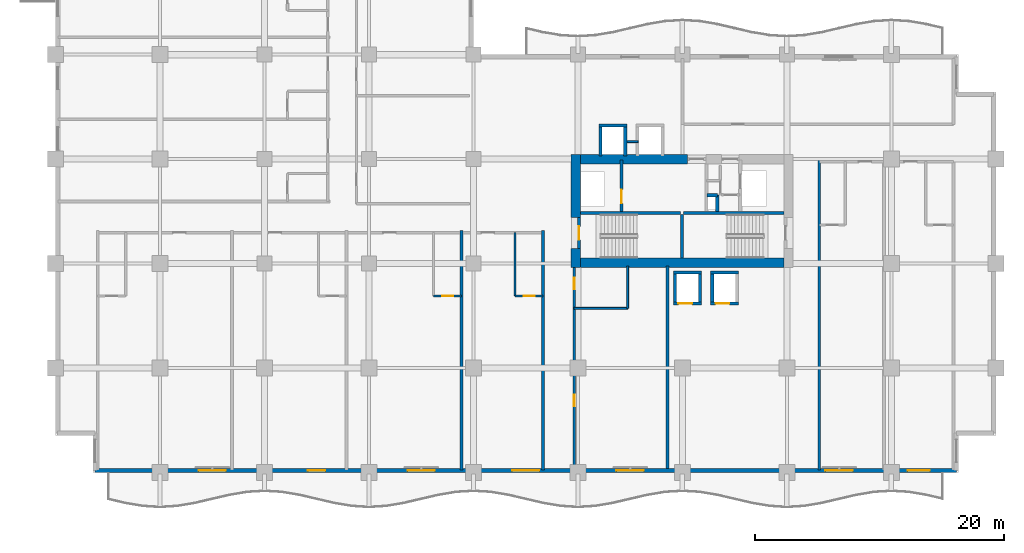
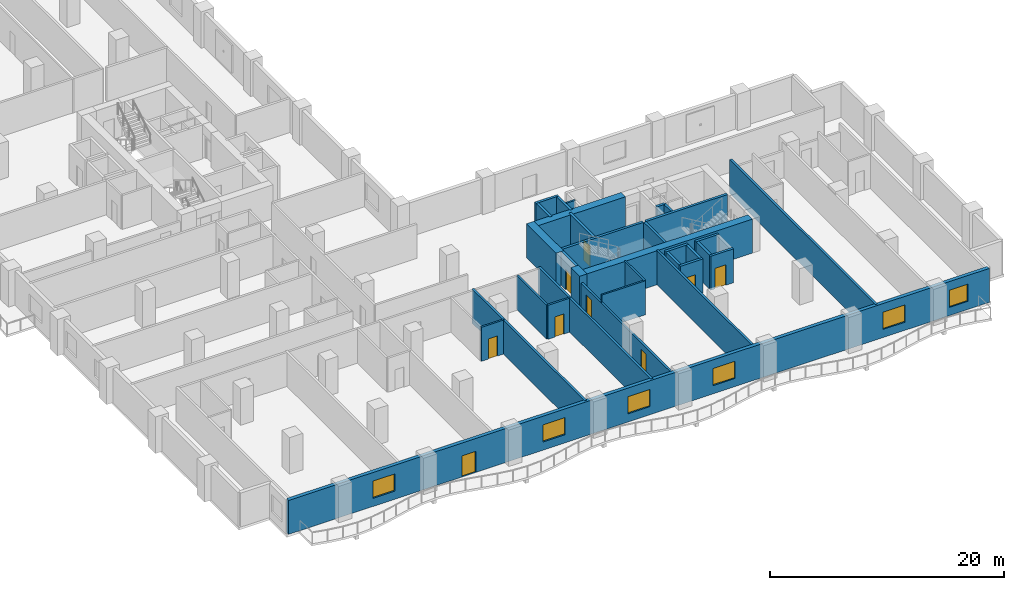
# One storey, part 8 of 21: 33 walls, 9 doors, 6 windows, 15 openings.
"""IFC4 building model written with IfcOpenShell, lengths in metres."""

from ifc_helpers import new_model, si_unit, direction, frame, frame_2d, origin, place, context, subcontext, project, spatial, rectangle, extrude, material, layer, layer_set, type_object, element, fill, save


model = new_model("IFC4")

# Units and contexts
model_context = context("Model", 3, precision=1e-05, world=origin(), true_north=direction((0.0, 1.0)))
body_context = subcontext(model_context, "Body", "Model", "MODEL_VIEW")
ifc_project = project(units=[si_unit("LENGTHUNIT", "METRE"), si_unit("AREAUNIT", "SQUARE_METRE"), si_unit("VOLUMEUNIT", "CUBIC_METRE"), si_unit("PLANEANGLEUNIT", "RADIAN"), si_unit("MASSUNIT", "GRAM", prefix="KILO")], contexts=[model_context])

# Site, building, storey
site_placement = place(None, origin())
site = spatial("IfcSite", under=ifc_project, at=site_placement, CompositionType="ELEMENT")
building_placement = place(site_placement, origin())
building = spatial("IfcBuilding", under=site, at=building_placement, Name="Koriwani Terraces Tower", CompositionType="ELEMENT")
storey_placement = place(building_placement, frame((0.0, 0.0, 111.39990234375)))
storey = spatial("IfcBuildingStorey", under=building, at=storey_placement, Name="L26", CompositionType="ELEMENT", Elevation=111.39990234375)

# Walls
ifc_material_1 = material(Name="Concrete C60/75", Category="concrete")
ifc_layer_1 = layer(ifc_material_1, 0.75, Name="Concrete C60/75")
ifc_layer_set_1 = layer_set([ifc_layer_1], Name="Concrete C60/75")
wall_type_1 = type_object("IfcWallType", Name="WALL_CORE_RC_750", PredefinedType="SHEAR", material=ifc_layer_set_1)
wall_1_placement = place(storey_placement, frame((41.824951171875, 16.5, 0.0), z_axis=(0.0, 0.0, 1.0), x_axis=(0.0, 1.0, 0.0)))
element("IfcWall", 1, at=wall_1_placement, inside=storey, type_object=wall_type_1, Name="L26 East Split Core Shear Wall W1", PredefinedType="SHEAR", context=body_context, shape_type="SweptSolid", body=[
    extrude(rectangle(XDim=1.5, YDim=0.75, at=frame_2d((0.75, 0.0))), origin(), (0.0, 0.0, 1.0), 3.550048828125),
])
wall_2_placement = place(storey_placement, frame((41.824951171875, 20.5, 0.0), z_axis=(0.0, 0.0, 1.0), x_axis=(0.0, 1.0, 0.0)))
element("IfcWall", 2, at=wall_2_placement, inside=storey, type_object=wall_type_1, Name="L26 East Split Core Shear Wall W2", PredefinedType="SHEAR", context=body_context, shape_type="SweptSolid", body=[
    extrude(rectangle(XDim=5.074951171875, YDim=0.75, at=frame_2d((2.53759765625, 0.0))), origin(), (0.0, 0.0, 1.0), 3.550048828125),
])
wall_3_placement = place(storey_placement, frame((42.199951171875, 16.875, 0.0), z_axis=(0.0, 0.0, 1.0), x_axis=(1.0, 0.0, 0.0)))
element("IfcWall", 3, at=wall_3_placement, inside=storey, type_object=wall_type_1, Name="L26 East Split Core Shear Wall S1", PredefinedType="SHEAR", context=body_context, shape_type="SweptSolid", body=[
    extrude(rectangle(XDim=16.35009765625, YDim=0.75, at=frame_2d((8.175048828125, 0.0))), origin(), (0.0, 0.0, 1.0), 3.550048828125),
])
wall_4_placement = place(storey_placement, frame((42.199951171875, 25.199951171875, 0.0), z_axis=(0.0, 0.0, 1.0), x_axis=(1.0, 0.0, 0.0)))
element("IfcWall", 4, at=wall_4_placement, inside=storey, type_object=wall_type_1, Name="L26 East Split Core Shear Wall N1", PredefinedType="SHEAR", context=body_context, shape_type="SweptSolid", body=[
    extrude(rectangle(XDim=8.60009765625, YDim=0.75, at=frame_2d((4.300048828125, 0.0))), origin(), (0.0, 0.0, 1.0), 3.550048828125),
])

# Wall, openings, doors
ifc_material_2 = material(Name="Autoclaved Cellular Concrete Blockwork", Category="masonry")
ifc_layer_2 = layer(ifc_material_2, 0.199951171875, Name="Autoclaved Cellular Concrete Blockwork")
ifc_layer_set_2 = layer_set([ifc_layer_2], Name="Autoclaved Cellular Concrete Blockwork")
wall_type_2 = type_object("IfcWallType", Name="WALL_CORRIDOR_200", PredefinedType="PARTITIONING", material=ifc_layer_set_2)
wall_5_placement = place(storey_placement, frame((41.699951171875, 0.35009765625, 0.0), z_axis=(0.0, 0.0, 1.0), x_axis=(0.0, 1.0, 0.0)))
wall_5 = element("IfcWall", 5, at=wall_5_placement, inside=storey, type_object=wall_type_2, Name="L26 Interior Wall WREC-EW-L26", PredefinedType="PARTITIONING", context=body_context, shape_type="SweptSolid", body=[
    extrude(rectangle(XDim=16.25, YDim=0.199951171875, at=frame_2d((8.125, 0.0))), origin(), (0.0, 0.0, 1.0), 2.800048828125),
])
opening_1_placement = place(wall_5_placement, frame((5.0, 0.0, 0.0)))
opening_1 = element("IfcOpeningElement", 6, at=opening_1_placement, cuts=wall_5, Name="Opening D-06", PredefinedType="OPENING", context=body_context, shape_type="SweptSolid", body=[
    extrude(rectangle(XDim=0.919921875, YDim=2.10009765625, at=frame_2d((0.4599609375, 1.050048828125))), frame((0.0, 0.10986328125, 0.0), z_axis=(0.0, -1.0, 0.0), x_axis=(1.0, 0.0, 0.0)), (0.0, 0.0, 1.0), 0.219970703125),
])
opening_2_placement = place(wall_5_placement, frame((14.39990234375, 0.0, 0.0)))
opening_2 = element("IfcOpeningElement", 7, at=opening_2_placement, cuts=wall_5, Name="Opening D-07", PredefinedType="OPENING", context=body_context, shape_type="SweptSolid", body=[
    extrude(rectangle(XDim=0.89990234375, YDim=2.10009765625, at=frame_2d((0.449951171875, 1.050048828125))), frame((0.0, 0.10986328125, 0.0), z_axis=(0.0, -1.0, 0.0), x_axis=(1.0, 0.0, 0.0)), (0.0, 0.0, 1.0), 0.219970703125),
])
ifc_material_3 = material(Name="Architectural Oak Fire Door", Category="wood")
door_type_1 = type_object("IfcDoorType", Name="DOOR_BATH_INT_900X2100", OperationType="NOTDEFINED", PredefinedType="DOOR", material=ifc_material_3)
door_1_placement = place(opening_2_placement, origin())
door_1 = element("IfcDoor", 8, at=door_1_placement, inside=storey, type_object=door_type_1, Name="L26 Linen Closet Door", OperationType="SINGLE_SWING_RIGHT", OverallHeight=2.10009765625, OverallWidth=0.89990234375, PredefinedType="DOOR", context=body_context, shape_type="SweptSolid", body=[
    extrude(rectangle(XDim=0.89990234375, YDim=2.10009765625, at=frame_2d((0.449951171875, 1.050048828125))), frame((0.0, 0.02490234375, 0.0), z_axis=(0.0, -1.0, 0.0), x_axis=(1.0, 0.0, 0.0)), (0.0, 0.0, 1.0), 0.050048828125),
])
fill(opening_2, door_1)
door_type_2 = type_object("IfcDoorType", Name="DOOR_ROOM_INT_920X2100", OperationType="NOTDEFINED", PredefinedType="DOOR", material=ifc_material_3)
door_2_placement = place(opening_1_placement, origin())
door_2 = element("IfcDoor", 9, at=door_2_placement, inside=storey, type_object=door_type_2, Name="L26 Floor Study Lounge Door", OperationType="SINGLE_SWING_LEFT", OverallHeight=2.10009765625, OverallWidth=0.919921875, PredefinedType="DOOR", context=body_context, shape_type="SweptSolid", body=[
    extrude(rectangle(XDim=0.919921875, YDim=2.10009765625, at=frame_2d((0.4599609375, 1.050048828125))), frame((0.0, 0.02490234375, 0.0), z_axis=(0.0, -1.0, 0.0), x_axis=(1.0, 0.0, 0.0)), (0.0, 0.0, 1.0), 0.050048828125),
])
fill(opening_1, door_2)

# Walls
ifc_layer_3 = layer(ifc_material_2, 0.219970703125, Name="Autoclaved Cellular Concrete Blockwork")
ifc_layer_set_3 = layer_set([ifc_layer_3], Name="Autoclaved Cellular Concrete Blockwork")
wall_type_3 = type_object("IfcWallType", Name="WALL_DEMISING_220", PredefinedType="PARTITIONING", material=ifc_layer_set_3)
wall_6_placement = place(storey_placement, frame((49.199951171875, 0.35009765625, 0.0), z_axis=(0.0, 0.0, 1.0), x_axis=(0.0, 1.0, 0.0)))
element("IfcWall", 10, at=wall_6_placement, inside=storey, type_object=wall_type_3, Name="L26 Interior Wall WREC-EE-L26", PredefinedType="PARTITIONING", context=body_context, shape_type="SweptSolid", body=[
    extrude(rectangle(XDim=16.25, YDim=0.219970703125, at=frame_2d((8.125, 0.0))), origin(), (0.0, 0.0, 1.0), 3.550048828125),
])
for number, where, z_axis, x_axis, name in (
    (11, (32.64990234375, 0.199951171875, 0.0), (0.0, 0.0, 1.0), (0.0, 1.0, 0.0), "L26 Interior Wall WDEM-L26-SW-3"),
    (12, (39.199951171875, 0.199951171875, 0.0), (0.0, 0.0, 1.0), (0.0, 1.0, 0.0), "L26 Interior Wall WDEME-L26-SW"),
):
    element("IfcWall", number, at=place(storey_placement, frame(where, z_axis=z_axis, x_axis=x_axis)), inside=storey, type_object=wall_type_3, Name=name, PredefinedType="PARTITIONING", context=body_context, shape_type="SweptSolid", body=[
        extrude(rectangle(XDim=19.280029296875, YDim=0.219970703125, at=frame_2d((9.64013671875, 0.0))), origin(), (0.0, 0.0, 1.0), 3.550048828125),
    ])
wall_7_placement = place(storey_placement, frame((61.39990234375, 0.199951171875, 0.0), z_axis=(0.0, 0.0, 1.0), x_axis=(0.0, 1.0, 0.0)))
element("IfcWall", 13, at=wall_7_placement, inside=storey, type_object=wall_type_3, Name="L26 Interior Wall WDEM-L26-SE-0", PredefinedType="PARTITIONING", context=body_context, shape_type="SweptSolid", body=[
    extrude(rectangle(XDim=24.97998046875, YDim=0.219970703125, at=frame_2d((12.489990234375, 0.0))), origin(), (0.0, 0.0, 1.0), 3.550048828125),
])

# Wall, openings, door, windows
ifc_material_4 = material(Name="Concrete C50/60", Category="concrete")
ifc_layer_4 = layer(ifc_material_4, 0.35009765625, Name="Concrete C50/60")
ifc_layer_set_4 = layer_set([ifc_layer_4], Name="Concrete C50/60")
wall_type_4 = type_object("IfcWallType", Name="WALL_EXT_BRUTALIST_350", PredefinedType="STANDARD", material=ifc_layer_set_4)
wall_8_placement = place(storey_placement, frame((72.425048828125, 0.175048828125, 0.0), z_axis=(0.0, 0.0, 1.0), x_axis=(-1.0, 0.0, 0.0)))
wall_8 = element("IfcWall", 14, at=wall_8_placement, inside=storey, type_object=wall_type_4, Name="L26 Fair-Faced Brutalist Exterior Wall (S)", PredefinedType="STANDARD", context=body_context, shape_type="SweptSolid", body=[
    extrude(rectangle(XDim=69.25, YDim=0.35009765625, at=frame_2d((34.625, 0.0))), origin(), (0.0, 0.0, 1.0), 3.550048828125),
])
opening_3_placement = place(wall_8_placement, frame((50.72509765625, 0.0, 0.0)))
opening_3 = element("IfcOpeningElement", 15, at=opening_3_placement, cuts=wall_8, Name="Opening D-09", PredefinedType="OPENING", context=body_context, shape_type="SweptSolid", body=[
    extrude(rectangle(XDim=1.39990234375, YDim=2.199951171875, at=frame_2d((0.699951171875, 1.10009765625))), frame((0.0, 0.18505859375, 0.0), z_axis=(0.0, -1.0, 0.0), x_axis=(1.0, 0.0, 0.0)), (0.0, 0.0, 1.0), 0.3701171875),
])
opening_4_placement = place(wall_8_placement, frame((58.72509765625, 0.0, 0.85009765625)))
opening_4 = element("IfcOpeningElement", 16, at=opening_4_placement, cuts=wall_8, Name="Opening W-01", PredefinedType="OPENING", context=body_context, shape_type="SweptSolid", body=[
    extrude(rectangle(XDim=2.199951171875, YDim=1.800048828125, at=frame_2d((1.10009765625, 0.89990234375))), frame((0.0, 0.18505859375, 0.0), z_axis=(0.0, -1.0, 0.0), x_axis=(1.0, 0.0, 0.0)), (0.0, 0.0, 1.0), 0.3701171875),
])
opening_5_placement = place(wall_8_placement, frame((41.925048828125, 0.0, 0.85009765625)))
opening_5 = element("IfcOpeningElement", 17, at=opening_5_placement, cuts=wall_8, Name="Opening W-01", PredefinedType="OPENING", context=body_context, shape_type="SweptSolid", body=[
    extrude(rectangle(XDim=2.199951171875, YDim=1.800048828125, at=frame_2d((1.10009765625, 0.89990234375))), frame((0.0, 0.18505859375, 0.0), z_axis=(0.0, -1.0, 0.0), x_axis=(1.0, 0.0, 0.0)), (0.0, 0.0, 1.0), 0.3701171875),
])
opening_6_placement = place(wall_8_placement, frame((33.52490234375, 0.0, 0.85009765625)))
opening_6 = element("IfcOpeningElement", 18, at=opening_6_placement, cuts=wall_8, Name="Opening W-01", PredefinedType="OPENING", context=body_context, shape_type="SweptSolid", body=[
    extrude(rectangle(XDim=2.199951171875, YDim=1.800048828125, at=frame_2d((1.10009765625, 0.89990234375))), frame((0.0, 0.18505859375, 0.0), z_axis=(0.0, -1.0, 0.0), x_axis=(1.0, 0.0, 0.0)), (0.0, 0.0, 1.0), 0.3701171875),
])
opening_7_placement = place(wall_8_placement, frame((25.125, 0.0, 0.85009765625)))
opening_7 = element("IfcOpeningElement", 19, at=opening_7_placement, cuts=wall_8, Name="Opening W-01", PredefinedType="OPENING", context=body_context, shape_type="SweptSolid", body=[
    extrude(rectangle(XDim=2.199951171875, YDim=1.800048828125, at=frame_2d((1.10009765625, 0.89990234375))), frame((0.0, 0.18505859375, 0.0), z_axis=(0.0, -1.0, 0.0), x_axis=(1.0, 0.0, 0.0)), (0.0, 0.0, 1.0), 0.3701171875),
])
opening_8_placement = place(wall_8_placement, frame((8.324951171875, 0.0, 0.85009765625)))
opening_8 = element("IfcOpeningElement", 20, at=opening_8_placement, cuts=wall_8, Name="Opening W-01", PredefinedType="OPENING", context=body_context, shape_type="SweptSolid", body=[
    extrude(rectangle(XDim=2.199951171875, YDim=1.800048828125, at=frame_2d((1.10009765625, 0.89990234375))), frame((0.0, 0.18505859375, 0.0), z_axis=(0.0, -1.0, 0.0), x_axis=(1.0, 0.0, 0.0)), (0.0, 0.0, 1.0), 0.3701171875),
])
opening_9_placement = place(wall_8_placement, frame((2.125, 0.0, 0.85009765625)))
opening_9 = element("IfcOpeningElement", 21, at=opening_9_placement, cuts=wall_8, Name="Opening W-04", PredefinedType="OPENING", context=body_context, shape_type="SweptSolid", body=[
    extrude(rectangle(XDim=1.800048828125, YDim=1.800048828125, at=frame_2d((0.89990234375, 0.89990234375))), frame((0.0, 0.18505859375, 0.0), z_axis=(0.0, -1.0, 0.0), x_axis=(1.0, 0.0, 0.0)), (0.0, 0.0, 1.0), 0.3701171875),
])
ifc_material_5 = material(Name="Anodised Bronze Aluminium", Category="aluminium")
door_type_3 = type_object("IfcDoorType", Name="DOOR_BALCONY_GLAZED_1400X2200", OperationType="NOTDEFINED", PredefinedType="DOOR", material=ifc_material_5)
door_3_placement = place(opening_3_placement, origin())
door_3 = element("IfcDoor", 22, at=door_3_placement, inside=storey, type_object=door_type_3, Name="L26 South Balcony Glazed Door", OperationType="SINGLE_SWING_LEFT", OverallHeight=2.199951171875, OverallWidth=1.39990234375, PredefinedType="DOOR", context=body_context, shape_type="SweptSolid", body=[
    extrude(rectangle(XDim=1.39990234375, YDim=2.199951171875, at=frame_2d((0.699951171875, 1.10009765625))), frame((0.0, 0.02490234375, 0.0), z_axis=(0.0, -1.0, 0.0), x_axis=(1.0, 0.0, 0.0)), (0.0, 0.0, 1.0), 0.050048828125),
])
fill(opening_3, door_3)
ifc_material_6 = material(Name="Tempered Laminated Low-E Glass", Category="glass")
window_type_1 = type_object("IfcWindowType", Name="WIN_HOTEL_STD_2200X1800", PartitioningType="DOUBLE_PANEL_VERTICAL", PredefinedType="WINDOW", material=ifc_material_6)
window_1_placement = place(opening_4_placement, origin())
window_1 = element("IfcWindow", 23, at=window_1_placement, inside=storey, type_object=window_type_1, Name="L26 Exterior Window (S-3)", OverallHeight=1.800048828125, OverallWidth=2.199951171875, PartitioningType="SINGLE_PANEL", PredefinedType="WINDOW", context=body_context, shape_type="SweptSolid", body=[
    extrude(rectangle(XDim=2.199951171875, YDim=1.800048828125, at=frame_2d((1.10009765625, 0.89990234375))), frame((0.0, 0.030029296875, 0.0), z_axis=(0.0, -1.0, 0.0), x_axis=(1.0, 0.0, 0.0)), (0.0, 0.0, 1.0), 0.06005859375),
])
fill(opening_4, window_1)
window_2_placement = place(opening_5_placement, origin())
window_2 = element("IfcWindow", 24, at=window_2_placement, inside=storey, type_object=window_type_1, Name="L26 Exterior Window (S-9)", OverallHeight=1.800048828125, OverallWidth=2.199951171875, PartitioningType="SINGLE_PANEL", PredefinedType="WINDOW", context=body_context, shape_type="SweptSolid", body=[
    extrude(rectangle(XDim=2.199951171875, YDim=1.800048828125, at=frame_2d((1.10009765625, 0.89990234375))), frame((0.0, 0.030029296875, 0.0), z_axis=(0.0, -1.0, 0.0), x_axis=(1.0, 0.0, 0.0)), (0.0, 0.0, 1.0), 0.06005859375),
])
fill(opening_5, window_2)
window_3_placement = place(opening_6_placement, origin())
window_3 = element("IfcWindow", 25, at=window_3_placement, inside=storey, type_object=window_type_1, Name="L26 Exterior Window (S-12)", OverallHeight=1.800048828125, OverallWidth=2.199951171875, PartitioningType="SINGLE_PANEL", PredefinedType="WINDOW", context=body_context, shape_type="SweptSolid", body=[
    extrude(rectangle(XDim=2.199951171875, YDim=1.800048828125, at=frame_2d((1.10009765625, 0.89990234375))), frame((0.0, 0.030029296875, 0.0), z_axis=(0.0, -1.0, 0.0), x_axis=(1.0, 0.0, 0.0)), (0.0, 0.0, 1.0), 0.06005859375),
])
fill(opening_6, window_3)
window_4_placement = place(opening_7_placement, origin())
window_4 = element("IfcWindow", 26, at=window_4_placement, inside=storey, type_object=window_type_1, Name="L26 Exterior Window (S-15)", OverallHeight=1.800048828125, OverallWidth=2.199951171875, PartitioningType="SINGLE_PANEL", PredefinedType="WINDOW", context=body_context, shape_type="SweptSolid", body=[
    extrude(rectangle(XDim=2.199951171875, YDim=1.800048828125, at=frame_2d((1.10009765625, 0.89990234375))), frame((0.0, 0.030029296875, 0.0), z_axis=(0.0, -1.0, 0.0), x_axis=(1.0, 0.0, 0.0)), (0.0, 0.0, 1.0), 0.06005859375),
])
fill(opening_7, window_4)
window_5_placement = place(opening_8_placement, origin())
window_5 = element("IfcWindow", 27, at=window_5_placement, inside=storey, type_object=window_type_1, Name="L26 Exterior Window (S-21)", OverallHeight=1.800048828125, OverallWidth=2.199951171875, PartitioningType="SINGLE_PANEL", PredefinedType="WINDOW", context=body_context, shape_type="SweptSolid", body=[
    extrude(rectangle(XDim=2.199951171875, YDim=1.800048828125, at=frame_2d((1.10009765625, 0.89990234375))), frame((0.0, 0.030029296875, 0.0), z_axis=(0.0, -1.0, 0.0), x_axis=(1.0, 0.0, 0.0)), (0.0, 0.0, 1.0), 0.06005859375),
])
fill(opening_8, window_5)
window_type_2 = type_object("IfcWindowType", Name="WIN_RES_BED_1800X1800", PartitioningType="DOUBLE_PANEL_VERTICAL", PredefinedType="WINDOW", material=ifc_material_6)
window_6_placement = place(opening_9_placement, origin())
window_6 = element("IfcWindow", 28, at=window_6_placement, inside=storey, type_object=window_type_2, Name="L26 Exterior Window (S-R52)", OverallHeight=1.800048828125, OverallWidth=1.800048828125, PartitioningType="SINGLE_PANEL", PredefinedType="WINDOW", context=body_context, shape_type="SweptSolid", body=[
    extrude(rectangle(XDim=1.800048828125, YDim=1.800048828125, at=frame_2d((0.89990234375, 0.89990234375))), frame((0.0, 0.030029296875, 0.0), z_axis=(0.0, -1.0, 0.0), x_axis=(1.0, 0.0, 0.0)), (0.0, 0.0, 1.0), 0.06005859375),
])
fill(opening_9, window_6)

# Wall, opening, door
ifc_material_7 = material(Name="Fire-Rated Acoustic Gypsum Partition", Category="masonry")
ifc_layer_5 = layer(ifc_material_7, 0.179931640625, Name="Fire-Rated Acoustic Gypsum Partition")
ifc_layer_set_5 = layer_set([ifc_layer_5], Name="Fire-Rated Acoustic Gypsum Partition")
wall_type_5 = type_object("IfcWallType", Name="WALL_PLUMBING_180", PredefinedType="PLUMBINGWALL", material=ifc_layer_set_5)
wall_9_placement = place(storey_placement, frame((30.39990234375, 14.199951171875, 0.0), z_axis=(0.0, 0.0, 1.0), x_axis=(1.0, 0.0, 0.0)))
wall_9 = element("IfcWall", 29, at=wall_9_placement, inside=storey, type_object=wall_type_5, Name="L26 Interior Wall WBTH1-L26-SW-2", PredefinedType="PLUMBINGWALL", context=body_context, shape_type="SweptSolid", body=[
    extrude(rectangle(XDim=2.25, YDim=0.179931640625, at=frame_2d((1.125, 0.0))), origin(), (0.0, 0.0, 1.0), 3.550048828125),
])
opening_10_placement = place(wall_9_placement, frame((0.675048828125, 0.0, 0.0)))
opening_10 = element("IfcOpeningElement", 30, at=opening_10_placement, cuts=wall_9, Name="Opening D-07", PredefinedType="OPENING", context=body_context, shape_type="SweptSolid", body=[
    extrude(rectangle(XDim=0.89990234375, YDim=2.10009765625, at=frame_2d((0.449951171875, 1.050048828125))), frame((0.0, 0.10009765625, 0.0), z_axis=(0.0, -1.0, 0.0), x_axis=(1.0, 0.0, 0.0)), (0.0, 0.0, 1.0), 0.199951171875),
])
door_4_placement = place(opening_10_placement, origin())
door_4 = element("IfcDoor", 31, at=door_4_placement, inside=storey, type_object=door_type_1, Name="En-Suite Bathroom 26SW3 Door", OperationType="SINGLE_SWING_LEFT", OverallHeight=2.10009765625, OverallWidth=0.89990234375, PredefinedType="DOOR", context=body_context, shape_type="SweptSolid", body=[
    extrude(rectangle(XDim=0.89990234375, YDim=2.10009765625, at=frame_2d((0.449951171875, 1.050048828125))), frame((0.0, 0.02490234375, 0.0), z_axis=(0.0, -1.0, 0.0), x_axis=(1.0, 0.0, 0.0)), (0.0, 0.0, 1.0), 0.050048828125),
])
fill(opening_10, door_4)

wall_10_placement = place(storey_placement, frame((36.949951171875, 14.199951171875, 0.0), z_axis=(0.0, 0.0, 1.0), x_axis=(1.0, 0.0, 0.0)))
wall_10 = element("IfcWall", 32, at=wall_10_placement, inside=storey, type_object=wall_type_5, Name="L26 Interior Wall WBTH1-L26-SW-3", PredefinedType="PLUMBINGWALL", context=body_context, shape_type="SweptSolid", body=[
    extrude(rectangle(XDim=2.25, YDim=0.179931640625, at=frame_2d((1.125, 0.0))), origin(), (0.0, 0.0, 1.0), 3.550048828125),
])
opening_11_placement = place(wall_10_placement, frame((0.675048828125, 0.0, 0.0)))
opening_11 = element("IfcOpeningElement", 33, at=opening_11_placement, cuts=wall_10, Name="Opening D-07", PredefinedType="OPENING", context=body_context, shape_type="SweptSolid", body=[
    extrude(rectangle(XDim=0.89990234375, YDim=2.10009765625, at=frame_2d((0.449951171875, 1.050048828125))), frame((0.0, 0.10009765625, 0.0), z_axis=(0.0, -1.0, 0.0), x_axis=(1.0, 0.0, 0.0)), (0.0, 0.0, 1.0), 0.199951171875),
])
door_5_placement = place(opening_11_placement, origin())
door_5 = element("IfcDoor", 34, at=door_5_placement, inside=storey, type_object=door_type_1, Name="En-Suite Bathroom 26SW4 Door", OperationType="SINGLE_SWING_LEFT", OverallHeight=2.10009765625, OverallWidth=0.89990234375, PredefinedType="DOOR", context=body_context, shape_type="SweptSolid", body=[
    extrude(rectangle(XDim=0.89990234375, YDim=2.10009765625, at=frame_2d((0.449951171875, 1.050048828125))), frame((0.0, 0.02490234375, 0.0), z_axis=(0.0, -1.0, 0.0), x_axis=(1.0, 0.0, 0.0)), (0.0, 0.0, 1.0), 0.050048828125),
])
fill(opening_11, door_5)

# Walls
wall_11_placement = place(storey_placement, frame((36.949951171875, 14.199951171875, 0.0), z_axis=(0.0, 0.0, 1.0), x_axis=(0.0, 1.0, 0.0)))
element("IfcWall", 35, at=wall_11_placement, inside=storey, type_object=wall_type_5, Name="L26 Interior Wall WBTH2-L26-SW-3", PredefinedType="PLUMBINGWALL", context=body_context, shape_type="SweptSolid", body=[
    extrude(rectangle(XDim=5.10009765625, YDim=0.179931640625, at=frame_2d((2.550048828125, 0.0))), origin(), (0.0, 0.0, 1.0), 3.550048828125),
])
ifc_material_8 = material(Name="Concrete C40/50", Category="concrete")
ifc_layer_6 = layer(ifc_material_8, 0.25, Name="Concrete C40/50")
ifc_layer_set_6 = layer_set([ifc_layer_6], Name="Concrete C40/50")
wall_type_6 = type_object("IfcWallType", Name="WALL_SHAFT_RATED_250", PredefinedType="SOLIDWALL", material=ifc_layer_set_6)
for number, where, z_axis, x_axis, name in (
    (36, (42.199951171875, 20.875, 0.0), (0.0, 0.0, 1.0), (1.0, 0.0, 0.0), "L26 East Split Core Web Wall MID1"),
    (37, (50.5, 20.875, 0.0), (0.0, 0.0, 1.0), (1.0, 0.0, 0.0), "L26 East Split Core Web Wall MID2"),
):
    element("IfcWall", number, at=place(storey_placement, frame(where, z_axis=z_axis, x_axis=x_axis)), inside=storey, type_object=wall_type_6, Name=name, PredefinedType="SOLIDWALL", context=body_context, shape_type="SweptSolid", body=[
        extrude(rectangle(XDim=8.050048828125, YDim=0.25, at=frame_2d((4.02490234375, 0.0))), origin(), (0.0, 0.0, 1.0), 3.550048828125),
    ])
wall_12_placement = place(storey_placement, frame((50.375, 17.25, 0.0), z_axis=(0.0, 0.0, 1.0), x_axis=(0.0, 1.0, 0.0)))
element("IfcWall", 38, at=wall_12_placement, inside=storey, type_object=wall_type_6, Name="L26 East Split Core Stair Dividing Wall", PredefinedType="SOLIDWALL", context=body_context, shape_type="SweptSolid", body=[
    extrude(rectangle(XDim=3.5, YDim=0.25, at=frame_2d((1.75, 0.0))), origin(), (0.0, 0.0, 1.0), 3.550048828125),
])

# Wall, opening, door
wall_13_placement = place(storey_placement, frame((42.074951171875, 18.0, 0.0), z_axis=(0.0, 0.0, 1.0), x_axis=(0.0, 1.0, 0.0)))
wall_13 = element("IfcWall", 39, at=wall_13_placement, inside=storey, type_object=wall_type_6, Name="L26 Interior Wall WIN-CE-L26-STW", PredefinedType="SOLIDWALL", context=body_context, shape_type="SweptSolid", body=[
    extrude(rectangle(XDim=2.5, YDim=0.25, at=frame_2d((1.25, 0.0))), origin(), (0.0, 0.0, 1.0), 3.550048828125),
])
opening_12_placement = place(wall_13_placement, frame((0.699951171875, 0.0, 0.0)))
opening_12 = element("IfcOpeningElement", 40, at=opening_12_placement, cuts=wall_13, Name="Opening D-03", PredefinedType="OPENING", context=body_context, shape_type="SweptSolid", body=[
    extrude(rectangle(XDim=1.10009765625, YDim=2.14990234375, at=frame_2d((0.550048828125, 1.074951171875))), frame((0.0, 0.135009765625, 0.0), z_axis=(0.0, -1.0, 0.0), x_axis=(1.0, 0.0, 0.0)), (0.0, 0.0, 1.0), 0.27001953125),
])
ifc_material_9 = material(Name="Steel ASTM A572 Grade 50", Category="steel")
door_type_4 = type_object("IfcDoorType", Name="DOOR_STAIR_FIRE_1100X2150", OperationType="NOTDEFINED", PredefinedType="DOOR", material=ifc_material_9)
door_6_placement = place(opening_12_placement, origin())
door_6 = element("IfcDoor", 41, at=door_6_placement, inside=storey, type_object=door_type_4, Name="L26 Exit Stair ST-E1 Door", OperationType="SINGLE_SWING_LEFT", OverallHeight=2.14990234375, OverallWidth=1.10009765625, PredefinedType="DOOR", context=body_context, shape_type="SweptSolid", body=[
    extrude(rectangle(XDim=1.10009765625, YDim=2.14990234375, at=frame_2d((0.550048828125, 1.074951171875))), frame((0.0, 0.02490234375, 0.0), z_axis=(0.0, -1.0, 0.0), x_axis=(1.0, 0.0, 0.0)), (0.0, 0.0, 1.0), 0.050048828125),
])
fill(opening_12, door_6)

wall_14_placement = place(storey_placement, frame((45.5, 21.0, 0.0), z_axis=(0.0, 0.0, 1.0), x_axis=(0.0, 1.0, 0.0)))
wall_14 = element("IfcWall", 42, at=wall_14_placement, inside=storey, type_object=wall_type_6, Name="L26 Interior Wall WIN-CE-L26-FE", PredefinedType="SOLIDWALL", context=body_context, shape_type="SweptSolid", body=[
    extrude(rectangle(XDim=4.14990234375, YDim=0.25, at=frame_2d((2.074951171875, 0.0))), origin(), (0.0, 0.0, 1.0), 3.550048828125),
])
opening_13_placement = place(wall_14_placement, frame((0.64990234375, 0.0, 0.0)))
opening_13 = element("IfcOpeningElement", 43, at=opening_13_placement, cuts=wall_14, Name="Opening LD-01", PredefinedType="OPENING", context=body_context, shape_type="SweptSolid", body=[
    extrude(rectangle(XDim=1.10009765625, YDim=2.14990234375, at=frame_2d((0.550048828125, 1.074951171875))), frame((0.0, 0.135009765625, 0.0), z_axis=(0.0, -1.0, 0.0), x_axis=(1.0, 0.0, 0.0)), (0.0, 0.0, 1.0), 0.27001953125),
])
door_type_5 = type_object("IfcDoorType", Name="DOOR_LIFT_LANDING_1100X2200", OperationType="NOTDEFINED", PredefinedType="DOOR", material=ifc_material_9)
door_7_placement = place(opening_13_placement, origin())
door_7 = element("IfcDoor", 44, at=door_7_placement, inside=storey, type_object=door_type_5, Name="L26 Firefighting Lift FE-02 Landing Door", OperationType="SLIDING_TO_LEFT", OverallHeight=2.14990234375, OverallWidth=1.10009765625, PredefinedType="DOOR", context=body_context, shape_type="SweptSolid", body=[
    extrude(rectangle(XDim=1.10009765625, YDim=2.14990234375, at=frame_2d((0.550048828125, 1.074951171875))), frame((0.0, 0.02490234375, 0.0), z_axis=(0.0, -1.0, 0.0), x_axis=(1.0, 0.0, 0.0)), (0.0, 0.0, 1.0), 0.050048828125),
])
fill(opening_13, door_7)

# Walls
wall_15_placement = place(storey_placement, frame((53.199951171875, 21.0, 0.0), z_axis=(0.0, 0.0, 1.0), x_axis=(0.0, 1.0, 0.0)))
element("IfcWall", 45, at=wall_15_placement, inside=storey, type_object=wall_type_6, Name="L26 Interior Wall WIN-CE-L26-RS1", PredefinedType="SOLIDWALL", context=body_context, shape_type="SweptSolid", body=[
    extrude(rectangle(XDim=1.300048828125, YDim=0.25, at=frame_2d((0.64990234375, 0.0))), origin(), (0.0, 0.0, 1.0), 3.550048828125),
])
wall_16_placement = place(storey_placement, frame((52.360107421875, 22.300048828125, 0.0), z_axis=(0.0, 0.0, 1.0), x_axis=(1.0, 0.0, 0.0)))
element("IfcWall", 46, at=wall_16_placement, inside=storey, type_object=wall_type_6, Name="L26 Interior Wall WIN-CE-L26-RS2", PredefinedType="SOLIDWALL", context=body_context, shape_type="SweptSolid", body=[
    extrude(rectangle(XDim=0.83984375, YDim=0.25, at=frame_2d((0.419921875, 0.0))), origin(), (0.0, 0.0, 1.0), 3.550048828125),
])

# Wall, opening, door
wall_17_placement = place(storey_placement, frame((49.675048828125, 13.60009765625, 0.0), z_axis=(0.0, 0.0, 1.0), x_axis=(1.0, 0.0, 0.0)))
wall_17 = element("IfcWall", 47, at=wall_17_placement, inside=storey, type_object=wall_type_6, Name="L26 Interior Wall WIN-LF-PE-M3-L26-F", PredefinedType="SOLIDWALL", context=body_context, shape_type="SweptSolid", body=[
    extrude(rectangle(XDim=2.25, YDim=0.25, at=frame_2d((1.125, 0.0))), origin(), (0.0, 0.0, 1.0), 3.550048828125),
])
opening_14_placement = place(wall_17_placement, frame((0.39990234375, 0.0, 0.0)))
opening_14 = element("IfcOpeningElement", 48, at=opening_14_placement, cuts=wall_17, Name="Opening LD-01", PredefinedType="OPENING", context=body_context, shape_type="SweptSolid", body=[
    extrude(rectangle(XDim=1.10009765625, YDim=2.14990234375, at=frame_2d((0.550048828125, 1.074951171875))), frame((0.0, 0.135009765625, 0.0), z_axis=(0.0, -1.0, 0.0), x_axis=(1.0, 0.0, 0.0)), (0.0, 0.0, 1.0), 0.27001953125),
])
door_8_placement = place(opening_14_placement, origin())
door_8 = element("IfcDoor", 49, at=door_8_placement, inside=storey, type_object=door_type_5, Name="L26 Passenger Lift PE-M3 Landing Door", OperationType="SLIDING_TO_LEFT", OverallHeight=2.14990234375, OverallWidth=1.10009765625, PredefinedType="DOOR", context=body_context, shape_type="SweptSolid", body=[
    extrude(rectangle(XDim=1.10009765625, YDim=2.14990234375, at=frame_2d((0.550048828125, 1.074951171875))), frame((0.0, 0.02490234375, 0.0), z_axis=(0.0, -1.0, 0.0), x_axis=(1.0, 0.0, 0.0)), (0.0, 0.0, 1.0), 0.050048828125),
])
fill(opening_14, door_8)

# Walls
for number, where, z_axis, x_axis, name in (
    (50, (49.675048828125, 16.10009765625, 0.0), (0.0, 0.0, 1.0), (1.0, 0.0, 0.0), "L26 Interior Wall WIN-LF-PE-M3-L26-B"),
    (51, (49.800048828125, 13.72509765625, 0.0), (0.0, 0.0, 1.0), (0.0, 1.0, 0.0), "L26 Interior Wall WIN-LF-PE-M3-L26-W"),
    (52, (51.800048828125, 13.72509765625, 0.0), (0.0, 0.0, 1.0), (0.0, 1.0, 0.0), "L26 Interior Wall WIN-LF-PE-M3-L26-E"),
):
    element("IfcWall", number, at=place(storey_placement, frame(where, z_axis=z_axis, x_axis=x_axis)), inside=storey, type_object=wall_type_6, Name=name, PredefinedType="SOLIDWALL", context=body_context, shape_type="SweptSolid", body=[
        extrude(rectangle(XDim=2.25, YDim=0.25, at=frame_2d((1.125, 0.0))), origin(), (0.0, 0.0, 1.0), 3.550048828125),
    ])

# Wall, opening, door
wall_18_placement = place(storey_placement, frame((52.675048828125, 13.60009765625, 0.0), z_axis=(0.0, 0.0, 1.0), x_axis=(1.0, 0.0, 0.0)))
wall_18 = element("IfcWall", 53, at=wall_18_placement, inside=storey, type_object=wall_type_6, Name="L26 Interior Wall WIN-LF-PE-M4-L26-F", PredefinedType="SOLIDWALL", context=body_context, shape_type="SweptSolid", body=[
    extrude(rectangle(XDim=2.25, YDim=0.25, at=frame_2d((1.125, 0.0))), origin(), (0.0, 0.0, 1.0), 3.550048828125),
])
opening_15_placement = place(wall_18_placement, frame((0.39990234375, 0.0, 0.0)))
opening_15 = element("IfcOpeningElement", 54, at=opening_15_placement, cuts=wall_18, Name="Opening LD-01", PredefinedType="OPENING", context=body_context, shape_type="SweptSolid", body=[
    extrude(rectangle(XDim=1.10009765625, YDim=2.14990234375, at=frame_2d((0.550048828125, 1.074951171875))), frame((0.0, 0.135009765625, 0.0), z_axis=(0.0, -1.0, 0.0), x_axis=(1.0, 0.0, 0.0)), (0.0, 0.0, 1.0), 0.27001953125),
])
door_9_placement = place(opening_15_placement, origin())
door_9 = element("IfcDoor", 55, at=door_9_placement, inside=storey, type_object=door_type_5, Name="L26 Passenger Lift PE-M4 Landing Door", OperationType="SLIDING_TO_LEFT", OverallHeight=2.14990234375, OverallWidth=1.10009765625, PredefinedType="DOOR", context=body_context, shape_type="SweptSolid", body=[
    extrude(rectangle(XDim=1.10009765625, YDim=2.14990234375, at=frame_2d((0.550048828125, 1.074951171875))), frame((0.0, 0.02490234375, 0.0), z_axis=(0.0, -1.0, 0.0), x_axis=(1.0, 0.0, 0.0)), (0.0, 0.0, 1.0), 0.050048828125),
])
fill(opening_15, door_9)

# Walls
for number, where, z_axis, x_axis, name in (
    (56, (52.675048828125, 16.10009765625, 0.0), (0.0, 0.0, 1.0), (1.0, 0.0, 0.0), "L26 Interior Wall WIN-LF-PE-M4-L26-B"),
    (57, (52.800048828125, 13.72509765625, 0.0), (0.0, 0.0, 1.0), (0.0, 1.0, 0.0), "L26 Interior Wall WIN-LF-PE-M4-L26-W"),
    (58, (43.675048828125, 27.89990234375, 0.0), (0.0, 0.0, 1.0), (1.0, 0.0, 0.0), "L26 Interior Wall WIN-LF-PE-H3-L26-F"),
):
    element("IfcWall", number, at=place(storey_placement, frame(where, z_axis=z_axis, x_axis=x_axis)), inside=storey, type_object=wall_type_6, Name=name, PredefinedType="SOLIDWALL", context=body_context, shape_type="SweptSolid", body=[
        extrude(rectangle(XDim=2.25, YDim=0.25, at=frame_2d((1.125, 0.0))), origin(), (0.0, 0.0, 1.0), 3.550048828125),
    ])
for number, where, z_axis, x_axis, name in (
    (59, (43.800048828125, 25.449951171875, 0.0), (0.0, 0.0, 1.0), (0.0, 1.0, 0.0), "L26 Interior Wall WIN-LF-PE-H3-L26-W"),
    (60, (45.800048828125, 25.449951171875, 0.0), (0.0, 0.0, 1.0), (0.0, 1.0, 0.0), "L26 Interior Wall WIN-LF-PE-H3-L26-E"),
):
    element("IfcWall", number, at=place(storey_placement, frame(where, z_axis=z_axis, x_axis=x_axis)), inside=storey, type_object=wall_type_6, Name=name, PredefinedType="SOLIDWALL", context=body_context, shape_type="SweptSolid", body=[
        extrude(rectangle(XDim=2.324951171875, YDim=0.25, at=frame_2d((1.16259765625, 0.0))), origin(), (0.0, 0.0, 1.0), 3.550048828125),
    ])
ifc_layer_7 = layer(ifc_material_7, 0.159912109375, Name="Fire-Rated Acoustic Gypsum Partition")
ifc_layer_set_7 = layer_set([ifc_layer_7], Name="Fire-Rated Acoustic Gypsum Partition")
wall_type_7 = type_object("IfcWallType", Name="WALL_SUITE_160", PredefinedType="PARTITIONING", material=ifc_layer_set_7)
wall_19_placement = place(storey_placement, frame((45.9599609375, 26.60009765625, 0.0), z_axis=(0.0, 0.0, 1.0), x_axis=(1.0, 0.0, 0.0)))
element("IfcWall", 61, at=wall_19_placement, inside=storey, type_object=wall_type_7, Name="L26 Interior Wall WIN-LF-PEH34-MID-L26", PredefinedType="PARTITIONING", context=body_context, shape_type="SweptSolid", body=[
    extrude(rectangle(XDim=0.880126953125, YDim=0.159912109375, at=frame_2d((0.43994140625, 0.0))), origin(), (0.0, 0.0, 1.0), 3.550048828125),
])
wall_20_placement = place(storey_placement, frame((41.699951171875, 13.199951171875, 0.0), z_axis=(0.0, 0.0, 1.0), x_axis=(1.0, 0.0, 0.0)))
element("IfcWall", 62, at=wall_20_placement, inside=storey, type_object=wall_type_7, Name="L26 Interior Wall WREC-EM-L26", PredefinedType="PARTITIONING", context=body_context, shape_type="SweptSolid", body=[
    extrude(rectangle(XDim=4.300048828125, YDim=0.159912109375, at=frame_2d((2.14990234375, 0.0))), origin(), (0.0, 0.0, 1.0), 3.550048828125),
])
wall_21_placement = place(storey_placement, frame((46.0, 13.199951171875, 0.0), z_axis=(0.0, 0.0, 1.0), x_axis=(0.0, 1.0, 0.0)))
element("IfcWall", 63, at=wall_21_placement, inside=storey, type_object=wall_type_7, Name="L26 Interior Wall WREC-EV-L26", PredefinedType="PARTITIONING", context=body_context, shape_type="SweptSolid", body=[
    extrude(rectangle(XDim=3.400146484375, YDim=0.159912109375, at=frame_2d((1.7001953125, 0.0))), origin(), (0.0, 0.0, 1.0), 3.550048828125),
])

save(model, "model.ifc")
